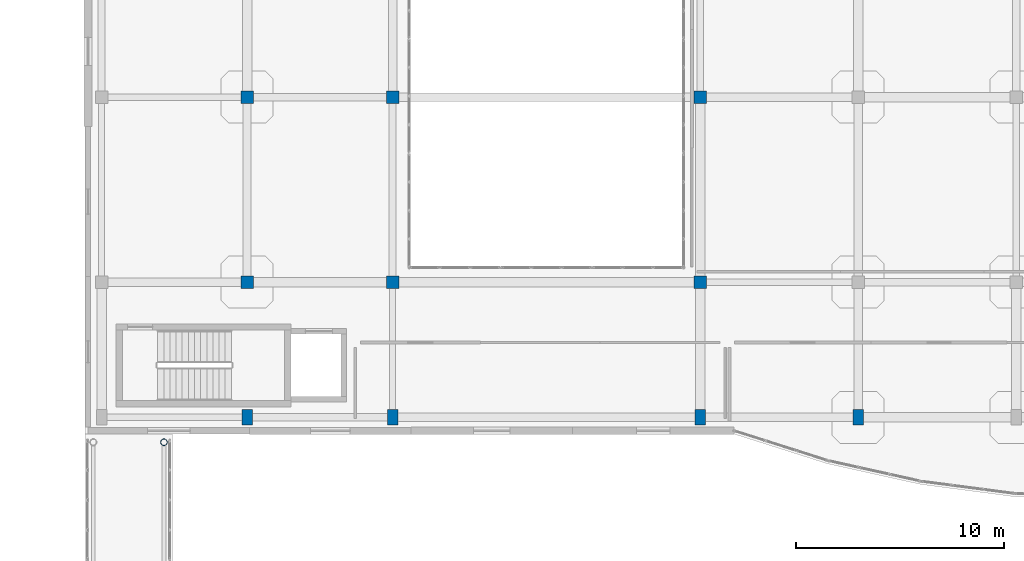
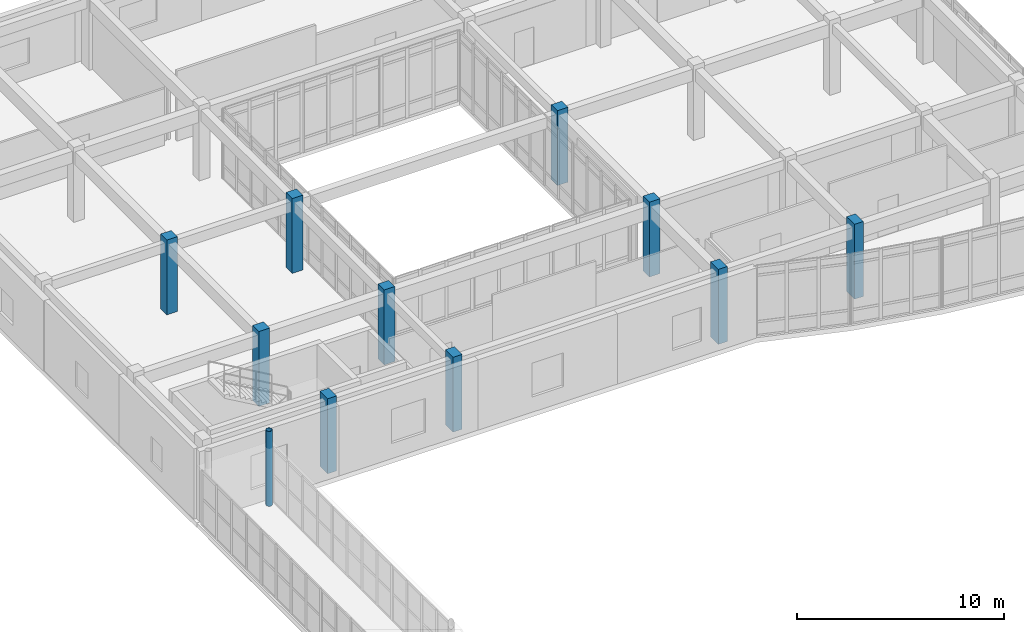
# One storey, part 12 of 142: 11 columns.
"""IFC4 building model written with IfcOpenShell, lengths in metres."""

import ifcopenshell
import ifcopenshell.guid

model = None  # the IFC model being written
_history = None  # IfcOwnerHistory: only IFC2X3 demands one
_inside = {}  # id of a spatial element -> (the spatial element, [elements in it])
_under = {}  # id of a project, library or spatial element -> (it, [spatial elements below it])
_declared = {}  # id of a project -> (the project, [libraries it declares])
_typed = {}  # id of a type object -> (the type object, [elements of that type])
_made_of = {}  # id of a material, layer set ... -> (it, [elements and type objects made of it])


def new_model(schema):
    """Start an empty IFC model of exactly this schema.

    Asked for "IFC4X3", IfcOpenShell would pick the latest addendum, in which some entities
    have other attributes; the version numbers below select the first issue.
    IFC2X3 requires an IfcOwnerHistory on every rooted entity: one is made here for all.
    """
    global model, _history
    if schema == "IFC4X3":
        model = ifcopenshell.file(schema_version=(4, 3, 0, 0))
    else:
        model = ifcopenshell.file(schema=schema)
    _inside.clear()
    _under.clear()
    _declared.clear()
    _typed.clear()
    _made_of.clear()
    _history = None
    if model.schema == "IFC2X3":
        org = make("IfcOrganization", Name="unknown")
        user = make(
            "IfcPersonAndOrganization",
            ThePerson=make("IfcPerson", FamilyName="unknown"),
            TheOrganization=org,
        )
        app = make(
            "IfcApplication",
            ApplicationDeveloper=org,
            Version="unknown",
            ApplicationFullName="unknown",
            ApplicationIdentifier="unknown",
        )
        _history = make(
            "IfcOwnerHistory",
            OwningUser=user,
            OwningApplication=app,
            ChangeAction="ADDED",
            CreationDate=0,
        )
    return model


def make(cls, **values):
    """One entity of the class cls with the attributes given. An attribute that is None is left unset."""
    return model.create_entity(
        cls, **{name: value for name, value in values.items() if value is not None}
    )


def rooted(cls, **values):
    """An entity with a GlobalId (a new one), such as an element, a storey or a relation."""
    return make(cls, GlobalId=ifcopenshell.guid.new(), OwnerHistory=_history, **values)


def si_unit(unit_type, name, prefix=None):
    """IfcSIUnit, for example si_unit("LENGTHUNIT", "METRE", prefix="MILLI")."""
    return make("IfcSIUnit", UnitType=unit_type, Prefix=prefix, Name=name)


def assignment(units):
    """IfcUnitAssignment: the units of a project."""
    return None if units is None else make("IfcUnitAssignment", Units=units)


def point(xyz):
    """IfcCartesianPoint."""
    return None if xyz is None else make("IfcCartesianPoint", Coordinates=xyz)


def direction(xyz):
    """IfcDirection."""
    return None if xyz is None else make("IfcDirection", DirectionRatios=xyz)


def frame(location, z_axis=None, x_axis=None):
    """IfcAxis2Placement3D, a coordinate frame: its origin and axes. An axis left out is left unset."""
    return make(
        "IfcAxis2Placement3D",
        Location=point(location),
        Axis=direction(z_axis),
        RefDirection=direction(x_axis),
    )


def frame_2d(location, x_axis=None):
    """IfcAxis2Placement2D, a coordinate frame in the plane: its origin and x axis."""
    return make(
        "IfcAxis2Placement2D", Location=point(location), RefDirection=direction(x_axis)
    )


def origin():
    """The frame at (0, 0, 0) with its axes left unset."""
    return frame((0.0, 0.0, 0.0))


def origin_2d():
    """The frame at (0, 0) in the plane with its x axis left unset."""
    return frame_2d((0.0, 0.0))


def place(relative_to, where):
    """IfcLocalPlacement: puts the frame where relative to a parent placement (None: the world)."""
    return make(
        "IfcLocalPlacement", PlacementRelTo=relative_to, RelativePlacement=where
    )


def context(
    kind, dimensions, precision=None, world=None, true_north=None, identifier=None
):
    """IfcGeometricRepresentationContext, for example the 3D "Model" context."""
    return make(
        "IfcGeometricRepresentationContext",
        ContextIdentifier=identifier,
        ContextType=kind,
        CoordinateSpaceDimension=dimensions,
        Precision=precision,
        WorldCoordinateSystem=world,
        TrueNorth=true_north,
    )


def subcontext(parent, identifier, kind, view, scale=None):
    """IfcGeometricRepresentationSubContext, for example "Body" below "Model"."""
    return make(
        "IfcGeometricRepresentationSubContext",
        ContextIdentifier=identifier,
        ContextType=kind,
        ParentContext=parent,
        TargetScale=scale,
        TargetView=view,
    )


def project(units=None, contexts=None):
    """IfcProject with its units and contexts."""
    return rooted(
        "IfcProject",
        Name="project",
        RepresentationContexts=contexts,
        UnitsInContext=assignment(units),
    )


def spatial(cls, under=None, at=None, **own):
    """A site, building, storey or space (cls), placed at a placement, below another one or the project."""
    s = rooted(cls, ObjectPlacement=at, **own)
    if under is not None:
        _under.setdefault(under.id(), (under, []))[1].append(s)
    return s


def profile(cls, at=None, kind="AREA", **sizes):
    """A parametric profile (cls). Its sizes go by their IFC names, for example OverallWidth=200.0."""
    return make(cls, ProfileType=kind, Position=at, **sizes)


def rectangle(**sizes):
    """IfcRectangleProfileDef."""
    return profile("IfcRectangleProfileDef", **sizes)


def hollow_circle(**sizes):
    """IfcCircleHollowProfileDef."""
    return profile("IfcCircleHollowProfileDef", **sizes)


def extrude(swept, where, along, depth):
    """IfcExtrudedAreaSolid: the profile swept, set in the frame where, extruded along a direction by depth."""
    return make(
        "IfcExtrudedAreaSolid",
        SweptArea=swept,
        Position=where,
        ExtrudedDirection=direction(along),
        Depth=depth,
    )


def shape(context_of_items, identifier, shape_type, items):
    """IfcShapeRepresentation: the items that make up one representation, for example the "Body"."""
    return make(
        "IfcShapeRepresentation",
        ContextOfItems=context_of_items,
        RepresentationIdentifier=identifier,
        RepresentationType=shape_type,
        Items=items,
    )


def material(Name=None, Category=None):
    """IfcMaterial."""
    return make("IfcMaterial", Name=Name, Category=Category)


def material_profile(
    of_material, cross_section, Name=None, Category=None, Priority=None
):
    """IfcMaterialProfile: a cross section and its material."""
    return make(
        "IfcMaterialProfile",
        Name=Name,
        Material=of_material,
        Profile=cross_section,
        Priority=Priority,
        Category=Category,
    )


def profile_set(profiles, Name=None, composite=None):
    """IfcMaterialProfileSet."""
    return make(
        "IfcMaterialProfileSet",
        Name=Name,
        MaterialProfiles=profiles,
        CompositeProfile=composite,
    )


def made_of(thing, what):
    """Note that an element or type object is made of a material, layer set ...; save() writes the relation."""
    if what is not None:
        _made_of.setdefault(what.id(), (what, []))[1].append(thing)
    return thing


def type_object(cls, material=None, **own):
    """A type object (cls), such as IfcWallType, which elements share."""
    return made_of(rooted(cls, **own), material)


def element(
    cls,
    number,
    at=None,
    inside=None,
    cuts=None,
    type_object=None,
    material=None,
    context=None,
    identifier="Body",
    shape_type=None,
    held_by="IfcProductDefinitionShape",
    body=None,
    shapes=None,
    **own,
):
    """One element of the class cls, such as IfcWall. Its Tag is "e" and its number.

    at: its placement. inside: the storey or other place that contains it. cuts: it is an
    opening in that element (IfcRelVoidsElement). A single representation is given by context,
    identifier, shape_type and body (its items); several are given by shapes. held_by: the class
    of the entity that holds the representations. save() writes the other relations.
    """
    e = rooted(cls, Tag="e%d" % number, ObjectPlacement=at, **own)
    if body is not None:
        shapes = [shape(context, identifier, shape_type, body)]
    if shapes is not None:
        e.Representation = make(held_by, Representations=shapes)
    if inside is not None:
        _inside.setdefault(inside.id(), (inside, []))[1].append(e)
    if cuts is not None:
        rooted(
            "IfcRelVoidsElement", RelatingBuildingElement=cuts, RelatedOpeningElement=e
        )
    if type_object is not None:
        _typed.setdefault(type_object.id(), (type_object, []))[1].append(e)
    return made_of(e, material)


def aggregate(whole, parts):
    """IfcRelAggregates: a whole, such as a stair, and the parts it consists of."""
    return rooted("IfcRelAggregates", RelatingObject=whole, RelatedObjects=parts)


def save(model, path):
    """Write the relations noted so far, then the file.

    IfcRelAggregates (storeys below a building ...), IfcRelContainedInSpatialStructure (elements
    in a storey), IfcRelDefinesByType, IfcRelAssociatesMaterial and IfcRelDeclares: one each for
    every whole, place, type object, material and project.
    """
    for whole, parts in _under.values():
        aggregate(whole, parts)
    for where, things in _inside.values():
        rooted(
            "IfcRelContainedInSpatialStructure",
            RelatedElements=things,
            RelatingStructure=where,
        )
    for kind, things in _typed.values():
        rooted("IfcRelDefinesByType", RelatedObjects=things, RelatingType=kind)
    for what, things in _made_of.values():
        rooted("IfcRelAssociatesMaterial", RelatedObjects=things, RelatingMaterial=what)
    for by, libraries in _declared.values():
        rooted("IfcRelDeclares", RelatingContext=by, RelatedDefinitions=libraries)
    model.write(path)


model = new_model("IFC4")

# Units and contexts
model_context = context("Model", 3, precision=1e-05, world=origin(), true_north=direction((0.0, 1.0)))
body_context = subcontext(model_context, "Body", "Model", "MODEL_VIEW")
ifc_project = project(units=[si_unit("LENGTHUNIT", "METRE"), si_unit("AREAUNIT", "SQUARE_METRE"), si_unit("VOLUMEUNIT", "CUBIC_METRE"), si_unit("PLANEANGLEUNIT", "RADIAN"), si_unit("MASSUNIT", "GRAM", prefix="KILO")], contexts=[model_context])

# Site, building, storey
site_placement = place(None, origin())
site = spatial("IfcSite", under=ifc_project, at=site_placement, CompositionType="ELEMENT")
building_placement = place(site_placement, origin())
building = spatial("IfcBuilding", under=site, at=building_placement, Name="Valcora Specialist Clinic", CompositionType="ELEMENT")
storey_placement = place(building_placement, frame((0.0, 0.0, 5.10009765625)))
storey = spatial("IfcBuildingStorey", under=building, at=storey_placement, Name="L01", CompositionType="ELEMENT", Elevation=5.10009765625)

# Columns
ifc_material_1 = material(Name="Steel ASTM A500 Grade C", Category="steel")
ifc_material_profile_1 = material_profile(ifc_material_1, hollow_circle(Radius=0.162109375, WallThickness=0.011962890625, at=origin_2d()), Name="ST-CHS-324X12")
ifc_profile_set_1 = profile_set([ifc_material_profile_1], Name="Steel ASTM A500 Grade C")
column_type_1 = type_object("IfcColumnType", Name="TY-COL-CHS324", PredefinedType="COLUMN", material=ifc_profile_set_1)
column_placement = place(storey_placement, frame((65.0, 73.60009765625, 0.0), z_axis=(0.0, 0.0, 1.0), x_axis=(1.0, 0.0, 0.0)))
element("IfcColumn", 1, at=column_placement, inside=storey, type_object=column_type_1, Name="Column COL-L01-1003", PredefinedType="COLUMN", context=body_context, shape_type="SweptSolid", body=[
    extrude(hollow_circle(Radius=0.162109375, WallThickness=0.011962890625, at=origin_2d()), origin(), (0.0, 0.0, 1.0), 4.419921875),
])
ifc_material_2 = material(Name="Concrete C40/50", Category="concrete")
ifc_material_profile_2 = material_profile(ifc_material_2, rectangle(XDim=0.5, YDim=0.75, at=origin_2d()), Name="RC-COL-500X750")
ifc_profile_set_2 = profile_set([ifc_material_profile_2], Name="Concrete C40/50")
column_type_2 = type_object("IfcColumnType", Name="TY-COL-RC500X750", PredefinedType="COLUMN", material=ifc_profile_set_2)
for number, where, z_axis, x_axis, name in (
    (2, (69.0, 74.800048828125, 0.0), (0.0, 0.0, 1.0), (1.0, 0.0, 0.0), "Column COL-L01-0328"),
    (3, (76.0, 74.800048828125, 0.0), (0.0, 0.0, 1.0), (1.0, 0.0, 0.0), "Column COL-L01-0353"),
    (4, (90.800048828125, 74.800048828125, 0.0), (0.0, 0.0, 1.0), (1.0, 0.0, 0.0), "Column COL-L01-0378"),
    (5, (98.39990234375, 74.800048828125, 0.0), (0.0, 0.0, 1.0), (1.0, 0.0, 0.0), "Column COL-L01-0403"),
):
    element("IfcColumn", number, at=place(storey_placement, frame(where, z_axis=z_axis, x_axis=x_axis)), inside=storey, type_object=column_type_2, Name=name, PredefinedType="COLUMN", context=body_context, shape_type="SweptSolid", body=[
        extrude(rectangle(XDim=0.5, YDim=0.75, at=origin_2d()), origin(), (0.0, 0.0, 1.0), 4.419921875),
    ])
ifc_material_profile_3 = material_profile(ifc_material_2, rectangle(XDim=0.60009765625, YDim=0.60009765625, at=origin_2d()), Name="RC-COL-600X600")
ifc_profile_set_3 = profile_set([ifc_material_profile_3], Name="Concrete C40/50")
column_type_3 = type_object("IfcColumnType", Name="TY-COL-RC600", PredefinedType="COLUMN", material=ifc_profile_set_3)
for number, where, z_axis, x_axis, name in (
    (6, (69.0, 81.300048828125, 0.0), (0.0, 0.0, 1.0), (1.0, 0.0, 0.0), "Column COL-L01-0333"),
    (7, (69.0, 90.199951171875, 0.0), (0.0, 0.0, 1.0), (1.0, 0.0, 0.0), "Column COL-L01-0338"),
    (8, (76.0, 81.300048828125, 0.0), (0.0, 0.0, 1.0), (1.0, 0.0, 0.0), "Column COL-L01-0358"),
    (9, (76.0, 90.199951171875, 0.0), (0.0, 0.0, 1.0), (1.0, 0.0, 0.0), "Column COL-L01-0363"),
    (10, (90.800048828125, 81.300048828125, 0.0), (0.0, 0.0, 1.0), (1.0, 0.0, 0.0), "Column COL-L01-0383"),
    (11, (90.800048828125, 90.199951171875, 0.0), (0.0, 0.0, 1.0), (1.0, 0.0, 0.0), "Column COL-L01-0388"),
):
    element("IfcColumn", number, at=place(storey_placement, frame(where, z_axis=z_axis, x_axis=x_axis)), inside=storey, type_object=column_type_3, Name=name, PredefinedType="COLUMN", context=body_context, shape_type="SweptSolid", body=[
        extrude(rectangle(XDim=0.60009765625, YDim=0.60009765625, at=origin_2d()), origin(), (0.0, 0.0, 1.0), 4.419921875),
    ])

save(model, "model.ifc")
